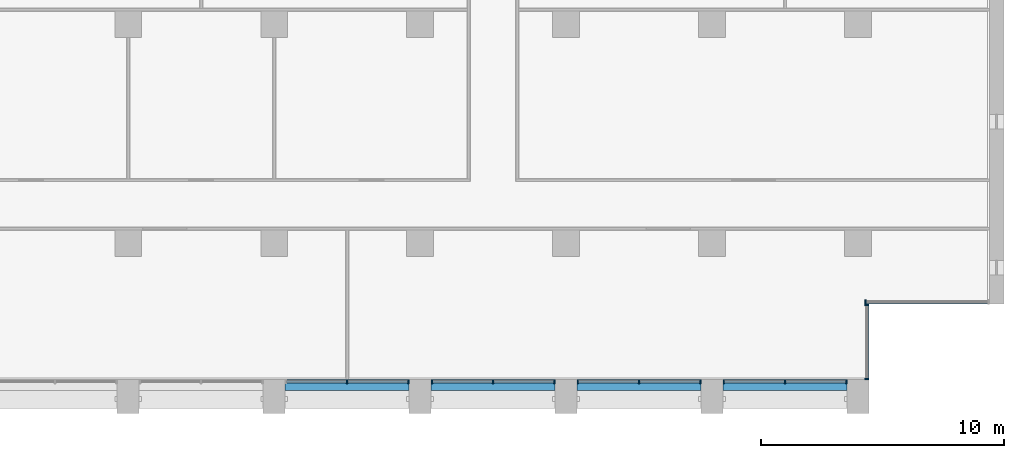
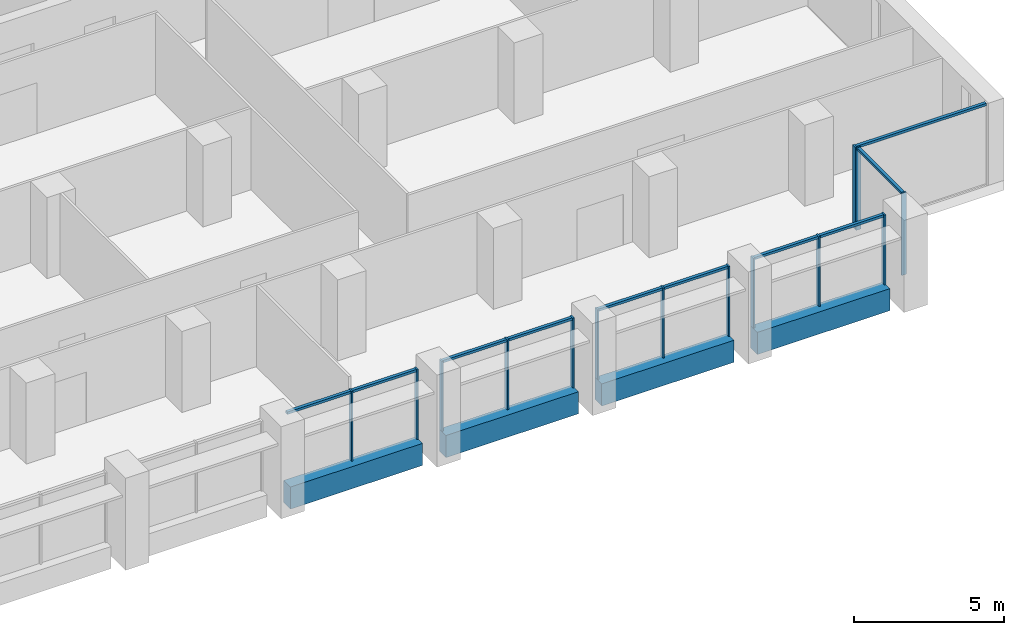
# One storey, part 3 of 17: 24 members, 4 beams, 6 elements without a shape of their own.
"""IFC4 building model written with IfcOpenShell, lengths in metres."""

from ifc_helpers import new_model, si_unit, direction, frame, origin, origin_2d, place, context, subcontext, project, spatial, rectangle, extrude, material, material_profile, profile_set, type_object, element, aggregate, save


model = new_model("IFC4")

# Units and contexts
model_context = context("Model", 3, precision=1e-05, world=origin(), true_north=direction((0.0, 1.0)))
body_context = subcontext(model_context, "Body", "Model", "MODEL_VIEW")
ifc_project = project(units=[si_unit("LENGTHUNIT", "METRE"), si_unit("AREAUNIT", "SQUARE_METRE"), si_unit("VOLUMEUNIT", "CUBIC_METRE"), si_unit("PLANEANGLEUNIT", "RADIAN"), si_unit("MASSUNIT", "GRAM", prefix="KILO")], contexts=[model_context])

# Site, building, storey
site_placement = place(None, origin())
site = spatial("IfcSite", under=ifc_project, at=site_placement, CompositionType="ELEMENT")
building_placement = place(site_placement, origin())
building = spatial("IfcBuilding", under=site, at=building_placement, Name="Calvaro Tower", CompositionType="ELEMENT")
storey_placement = place(building_placement, frame((0.0, 0.0, 189.25)))
storey = spatial("IfcBuildingStorey", under=building, at=storey_placement, Name="L47", CompositionType="ELEMENT", Elevation=189.25)

# Curtain wall, members
ifc_material_1 = material(Name="Anodised aluminium", Category="aluminium")
curtain_wall_type = type_object("IfcCurtainWallType", Name="Office curtain wall, upper zone", PredefinedType="NOTDEFINED", material=ifc_material_1)
curtain_wall_1_placement = place(storey_placement, origin())
curtain_wall_1 = element("IfcCurtainWall", 1, at=curtain_wall_1_placement, inside=storey, type_object=curtain_wall_type, Name="CW3 south curtain wall", PredefinedType="NOTDEFINED")
ifc_material_2 = material(Name="Anodised aluminium", Category="aluminium")
ifc_material_profile_1 = material_profile(ifc_material_2, rectangle(XDim=0.179931640625, YDim=0.06005859375, at=origin_2d()), Name="Mullion S3 60 x 180")
ifc_profile_set_1 = profile_set([ifc_material_profile_1], Name="Anodised aluminium")
member_type_1 = type_object("IfcMemberType", Name="Mullion S3 60 x 180", PredefinedType="MULLION", material=ifc_profile_set_1)
member_1_placement = place(storey_placement, frame((45.0, 4.31005859375, 0.0), z_axis=(0.0, 0.0, 1.0), x_axis=(0.0, 1.0, 0.0)))
member_1 = element("IfcMember", 2, at=member_1_placement, type_object=member_type_1, Name="CW3 mullion 2", PredefinedType="MULLION", context=body_context, shape_type="SweptSolid", body=[
    extrude(rectangle(XDim=0.179931640625, YDim=0.06005859375, at=origin_2d()), origin(), (0.0, 0.0, 1.0), 2.85009765625),
])
member_2_placement = place(storey_placement, frame((47.52001953125, 4.31005859375, 0.0), z_axis=(0.0, 0.0, 1.0), x_axis=(0.0, 1.0, 0.0)))
member_2 = element("IfcMember", 3, at=member_2_placement, type_object=member_type_1, Name="CW3 mullion 3", PredefinedType="MULLION", context=body_context, shape_type="SweptSolid", body=[
    extrude(rectangle(XDim=0.179931640625, YDim=0.06005859375, at=origin_2d()), origin(), (0.0, 0.0, 1.0), 2.85009765625),
])

curtain_wall_2_placement = place(storey_placement, origin())
curtain_wall_2 = element("IfcCurtainWall", 4, at=curtain_wall_2_placement, inside=storey, type_object=curtain_wall_type, Name="CW3 south curtain wall", PredefinedType="NOTDEFINED")
member_3_placement = place(storey_placement, frame((48.47998046875, 4.31005859375, 0.0), z_axis=(0.0, 0.0, 1.0), x_axis=(0.0, 1.0, 0.0)))
member_3 = element("IfcMember", 5, at=member_3_placement, type_object=member_type_1, Name="CW3 mullion 1", PredefinedType="MULLION", context=body_context, shape_type="SweptSolid", body=[
    extrude(rectangle(XDim=0.179931640625, YDim=0.06005859375, at=origin_2d()), origin(), (0.0, 0.0, 1.0), 2.85009765625),
])
member_4_placement = place(storey_placement, frame((51.0, 4.31005859375, 0.0), z_axis=(0.0, 0.0, 1.0), x_axis=(0.0, 1.0, 0.0)))
member_4 = element("IfcMember", 6, at=member_4_placement, type_object=member_type_1, Name="CW3 mullion 2", PredefinedType="MULLION", context=body_context, shape_type="SweptSolid", body=[
    extrude(rectangle(XDim=0.179931640625, YDim=0.06005859375, at=origin_2d()), origin(), (0.0, 0.0, 1.0), 2.85009765625),
])
member_5_placement = place(storey_placement, frame((53.52001953125, 4.31005859375, 0.0), z_axis=(0.0, 0.0, 1.0), x_axis=(0.0, 1.0, 0.0)))
member_5 = element("IfcMember", 7, at=member_5_placement, type_object=member_type_1, Name="CW3 mullion 3", PredefinedType="MULLION", context=body_context, shape_type="SweptSolid", body=[
    extrude(rectangle(XDim=0.179931640625, YDim=0.06005859375, at=origin_2d()), origin(), (0.0, 0.0, 1.0), 2.85009765625),
])

curtain_wall_3_placement = place(storey_placement, origin())
curtain_wall_3 = element("IfcCurtainWall", 8, at=curtain_wall_3_placement, inside=storey, type_object=curtain_wall_type, Name="CW3 south curtain wall", PredefinedType="NOTDEFINED")
member_6_placement = place(storey_placement, frame((54.47998046875, 4.31005859375, 0.0), z_axis=(0.0, 0.0, 1.0), x_axis=(0.0, 1.0, 0.0)))
member_6 = element("IfcMember", 9, at=member_6_placement, type_object=member_type_1, Name="CW3 mullion 1", PredefinedType="MULLION", context=body_context, shape_type="SweptSolid", body=[
    extrude(rectangle(XDim=0.179931640625, YDim=0.06005859375, at=origin_2d()), origin(), (0.0, 0.0, 1.0), 2.85009765625),
])
member_7_placement = place(storey_placement, frame((57.0, 4.31005859375, 0.0), z_axis=(0.0, 0.0, 1.0), x_axis=(0.0, 1.0, 0.0)))
member_7 = element("IfcMember", 10, at=member_7_placement, type_object=member_type_1, Name="CW3 mullion 2", PredefinedType="MULLION", context=body_context, shape_type="SweptSolid", body=[
    extrude(rectangle(XDim=0.179931640625, YDim=0.06005859375, at=origin_2d()), origin(), (0.0, 0.0, 1.0), 2.85009765625),
])
member_8_placement = place(storey_placement, frame((59.52001953125, 4.31005859375, 0.0), z_axis=(0.0, 0.0, 1.0), x_axis=(0.0, 1.0, 0.0)))
member_8 = element("IfcMember", 11, at=member_8_placement, type_object=member_type_1, Name="CW3 mullion 3", PredefinedType="MULLION", context=body_context, shape_type="SweptSolid", body=[
    extrude(rectangle(XDim=0.179931640625, YDim=0.06005859375, at=origin_2d()), origin(), (0.0, 0.0, 1.0), 2.85009765625),
])

curtain_wall_4_placement = place(storey_placement, origin())
curtain_wall_4 = element("IfcCurtainWall", 12, at=curtain_wall_4_placement, inside=storey, type_object=curtain_wall_type, Name="CW3 south curtain wall", PredefinedType="NOTDEFINED")
member_9_placement = place(storey_placement, frame((60.47998046875, 4.31005859375, 0.0), z_axis=(0.0, 0.0, 1.0), x_axis=(0.0, 1.0, 0.0)))
member_9 = element("IfcMember", 13, at=member_9_placement, type_object=member_type_1, Name="CW3 mullion 1", PredefinedType="MULLION", context=body_context, shape_type="SweptSolid", body=[
    extrude(rectangle(XDim=0.179931640625, YDim=0.06005859375, at=origin_2d()), origin(), (0.0, 0.0, 1.0), 2.85009765625),
])
member_10_placement = place(storey_placement, frame((63.0, 4.31005859375, 0.0), z_axis=(0.0, 0.0, 1.0), x_axis=(0.0, 1.0, 0.0)))
member_10 = element("IfcMember", 14, at=member_10_placement, type_object=member_type_1, Name="CW3 mullion 2", PredefinedType="MULLION", context=body_context, shape_type="SweptSolid", body=[
    extrude(rectangle(XDim=0.179931640625, YDim=0.06005859375, at=origin_2d()), origin(), (0.0, 0.0, 1.0), 2.85009765625),
])
member_11_placement = place(storey_placement, frame((65.52001953125, 4.31005859375, 0.0), z_axis=(0.0, 0.0, 1.0), x_axis=(0.0, 1.0, 0.0)))
member_11 = element("IfcMember", 15, at=member_11_placement, type_object=member_type_1, Name="CW3 mullion 3", PredefinedType="MULLION", context=body_context, shape_type="SweptSolid", body=[
    extrude(rectangle(XDim=0.179931640625, YDim=0.06005859375, at=origin_2d()), origin(), (0.0, 0.0, 1.0), 2.85009765625),
])

curtain_wall_5_placement = place(storey_placement, origin())
curtain_wall_5 = element("IfcCurtainWall", 16, at=curtain_wall_5_placement, inside=storey, type_object=curtain_wall_type, Name="CW3 corner curtain wall", PredefinedType="NOTDEFINED")
member_12_placement = place(storey_placement, frame((66.360107421875, 4.429931640625, 0.0), z_axis=(0.0, 0.0, 1.0), x_axis=(-1.0, 0.0, 0.0)))
member_12 = element("IfcMember", 17, at=member_12_placement, type_object=member_type_1, Name="CW3 mullion 1", PredefinedType="MULLION", context=body_context, shape_type="SweptSolid", body=[
    extrude(rectangle(XDim=0.179931640625, YDim=0.06005859375, at=origin_2d()), origin(), (0.0, 0.0, 1.0), 3.35009765625),
])
member_13_placement = place(storey_placement, frame((66.360107421875, 7.469970703125, 0.0), z_axis=(0.0, 0.0, 1.0), x_axis=(-1.0, 0.0, 0.0)))
member_13 = element("IfcMember", 18, at=member_13_placement, type_object=member_type_1, Name="CW3 mullion 2", PredefinedType="MULLION", context=body_context, shape_type="SweptSolid", body=[
    extrude(rectangle(XDim=0.179931640625, YDim=0.06005859375, at=origin_2d()), origin(), (0.0, 0.0, 1.0), 3.35009765625),
])

# Curtain wall, member
curtain_wall_6_placement = place(storey_placement, origin())
curtain_wall_6 = element("IfcCurtainWall", 19, at=curtain_wall_6_placement, inside=storey, type_object=curtain_wall_type, Name="CW3 corner curtain wall", PredefinedType="NOTDEFINED")
member_14_placement = place(storey_placement, frame((66.300048828125, 7.590087890625, 0.0), z_axis=(0.0, 0.0, 1.0), x_axis=(0.0, 1.0, 0.0)))
member_14 = element("IfcMember", 20, at=member_14_placement, type_object=member_type_1, Name="CW3 mullion 1", PredefinedType="MULLION", context=body_context, shape_type="SweptSolid", body=[
    extrude(rectangle(XDim=0.179931640625, YDim=0.06005859375, at=origin_2d()), origin(), (0.0, 0.0, 1.0), 3.35009765625),
])

# Beams
ifc_material_3 = material(Name="Concrete C50/60 precast", Category="concrete")
ifc_material_profile_2 = material_profile(ifc_material_3, rectangle(XDim=0.449951171875, YDim=0.89990234375, at=origin_2d()), Name="RC 450x900")
ifc_profile_set_2 = profile_set([ifc_material_profile_2], Name="Concrete C50/60 precast")
beam_type = type_object("IfcBeamType", Name="Spandrel beam 450x900 C50/60", PredefinedType="SPANDREL", material=ifc_profile_set_2)
for number, where, z_axis, x_axis, name in (
    (21, (42.449951171875, 4.175048828125, -0.449951171875), (1.0, 0.0, 0.0), (0.0, 1.0, 0.0), "Spandrel beam"),
    (22, (48.449951171875, 4.175048828125, -0.449951171875), (1.0, 0.0, 0.0), (0.0, 1.0, 0.0), "Spandrel beam"),
    (23, (54.449951171875, 4.175048828125, -0.449951171875), (1.0, 0.0, 0.0), (0.0, 1.0, 0.0), "Spandrel beam"),
    (24, (60.449951171875, 4.175048828125, -0.449951171875), (1.0, 0.0, 0.0), (0.0, 1.0, 0.0), "Spandrel beam"),
):
    element("IfcBeam", number, at=place(storey_placement, frame(where, z_axis=z_axis, x_axis=x_axis)), inside=storey, type_object=beam_type, Name=name, PredefinedType="SPANDREL", context=body_context, shape_type="SweptSolid", body=[
        extrude(rectangle(XDim=0.449951171875, YDim=0.89990234375, at=origin_2d()), origin(), (0.0, 0.0, 1.0), 5.10009765625),
    ])

# Member
ifc_material_4 = material(Name="Anodised aluminium", Category="aluminium")
ifc_material_profile_3 = material_profile(ifc_material_4, rectangle(XDim=0.1201171875, YDim=0.10009765625, at=origin_2d()), Name="Transom S3 100 x 120")
ifc_profile_set_3 = profile_set([ifc_material_profile_3], Name="Anodised aluminium")
member_type_2 = type_object("IfcMemberType", Name="Transom S3 100 x 120", PredefinedType="USERDEFINED", material=ifc_profile_set_3)
member_15_placement = place(storey_placement, frame((42.510009765625, 4.31005859375, 2.800048828125), z_axis=(1.0, 0.0, 0.0), x_axis=(0.0, 1.0, 0.0)))
member_15 = element("IfcMember", 25, at=member_15_placement, type_object=member_type_2, Name="CW3 transom 1.1", ObjectType="TRANSOM", PredefinedType="USERDEFINED", context=body_context, shape_type="SweptSolid", body=[
    extrude(rectangle(XDim=0.1201171875, YDim=0.10009765625, at=origin_2d()), origin(), (0.0, 0.0, 1.0), 2.4599609375),
])

member_16_placement = place(storey_placement, frame((45.030029296875, 4.31005859375, 2.800048828125), z_axis=(1.0, 0.0, 0.0), x_axis=(0.0, 1.0, 0.0)))
member_16 = element("IfcMember", 26, at=member_16_placement, type_object=member_type_2, Name="CW3 transom 2.1", ObjectType="TRANSOM", PredefinedType="USERDEFINED", context=body_context, shape_type="SweptSolid", body=[
    extrude(rectangle(XDim=0.1201171875, YDim=0.10009765625, at=origin_2d()), origin(), (0.0, 0.0, 1.0), 2.4599609375),
])

aggregate(curtain_wall_1, [member_1, member_2, member_15, member_16])

member_17_placement = place(storey_placement, frame((48.510009765625, 4.31005859375, 2.800048828125), z_axis=(1.0, 0.0, 0.0), x_axis=(0.0, 1.0, 0.0)))
member_17 = element("IfcMember", 27, at=member_17_placement, type_object=member_type_2, Name="CW3 transom 1.1", ObjectType="TRANSOM", PredefinedType="USERDEFINED", context=body_context, shape_type="SweptSolid", body=[
    extrude(rectangle(XDim=0.1201171875, YDim=0.10009765625, at=origin_2d()), origin(), (0.0, 0.0, 1.0), 2.4599609375),
])

member_18_placement = place(storey_placement, frame((51.030029296875, 4.31005859375, 2.800048828125), z_axis=(1.0, 0.0, 0.0), x_axis=(0.0, 1.0, 0.0)))
member_18 = element("IfcMember", 28, at=member_18_placement, type_object=member_type_2, Name="CW3 transom 2.1", ObjectType="TRANSOM", PredefinedType="USERDEFINED", context=body_context, shape_type="SweptSolid", body=[
    extrude(rectangle(XDim=0.1201171875, YDim=0.10009765625, at=origin_2d()), origin(), (0.0, 0.0, 1.0), 2.4599609375),
])

aggregate(curtain_wall_2, [member_3, member_4, member_5, member_17, member_18])

member_19_placement = place(storey_placement, frame((54.510009765625, 4.31005859375, 2.800048828125), z_axis=(1.0, 0.0, 0.0), x_axis=(0.0, 1.0, 0.0)))
member_19 = element("IfcMember", 29, at=member_19_placement, type_object=member_type_2, Name="CW3 transom 1.1", ObjectType="TRANSOM", PredefinedType="USERDEFINED", context=body_context, shape_type="SweptSolid", body=[
    extrude(rectangle(XDim=0.1201171875, YDim=0.10009765625, at=origin_2d()), origin(), (0.0, 0.0, 1.0), 2.4599609375),
])

member_20_placement = place(storey_placement, frame((57.030029296875, 4.31005859375, 2.800048828125), z_axis=(1.0, 0.0, 0.0), x_axis=(0.0, 1.0, 0.0)))
member_20 = element("IfcMember", 30, at=member_20_placement, type_object=member_type_2, Name="CW3 transom 2.1", ObjectType="TRANSOM", PredefinedType="USERDEFINED", context=body_context, shape_type="SweptSolid", body=[
    extrude(rectangle(XDim=0.1201171875, YDim=0.10009765625, at=origin_2d()), origin(), (0.0, 0.0, 1.0), 2.4599609375),
])

aggregate(curtain_wall_3, [member_6, member_7, member_8, member_19, member_20])

member_21_placement = place(storey_placement, frame((60.510009765625, 4.31005859375, 2.800048828125), z_axis=(1.0, 0.0, 0.0), x_axis=(0.0, 1.0, 0.0)))
member_21 = element("IfcMember", 31, at=member_21_placement, type_object=member_type_2, Name="CW3 transom 1.1", ObjectType="TRANSOM", PredefinedType="USERDEFINED", context=body_context, shape_type="SweptSolid", body=[
    extrude(rectangle(XDim=0.1201171875, YDim=0.10009765625, at=origin_2d()), origin(), (0.0, 0.0, 1.0), 2.4599609375),
])

member_22_placement = place(storey_placement, frame((63.030029296875, 4.31005859375, 2.800048828125), z_axis=(1.0, 0.0, 0.0), x_axis=(0.0, 1.0, 0.0)))
member_22 = element("IfcMember", 32, at=member_22_placement, type_object=member_type_2, Name="CW3 transom 2.1", ObjectType="TRANSOM", PredefinedType="USERDEFINED", context=body_context, shape_type="SweptSolid", body=[
    extrude(rectangle(XDim=0.1201171875, YDim=0.10009765625, at=origin_2d()), origin(), (0.0, 0.0, 1.0), 2.4599609375),
])

aggregate(curtain_wall_4, [member_9, member_10, member_11, member_21, member_22])

member_23_placement = place(storey_placement, frame((66.360107421875, 4.4599609375, 3.300048828125), z_axis=(0.0, 1.0, 0.0), x_axis=(-1.0, 0.0, 0.0)))
member_23 = element("IfcMember", 33, at=member_23_placement, type_object=member_type_2, Name="CW3 transom 1.1", ObjectType="TRANSOM", PredefinedType="USERDEFINED", context=body_context, shape_type="SweptSolid", body=[
    extrude(rectangle(XDim=0.1201171875, YDim=0.10009765625, at=origin_2d()), origin(), (0.0, 0.0, 1.0), 2.97998046875),
])

aggregate(curtain_wall_5, [member_12, member_13, member_23])

member_24_placement = place(storey_placement, frame((66.330078125, 7.590087890625, 3.300048828125), z_axis=(1.0, 0.0, 0.0), x_axis=(0.0, 1.0, 0.0)))
member_24 = element("IfcMember", 34, at=member_24_placement, type_object=member_type_2, Name="CW3 transom 1.1", ObjectType="TRANSOM", PredefinedType="USERDEFINED", context=body_context, shape_type="SweptSolid", body=[
    extrude(rectangle(XDim=0.1201171875, YDim=0.10009765625, at=origin_2d()), origin(), (0.0, 0.0, 1.0), 5.010009765625),
])

aggregate(curtain_wall_6, [member_14, member_24])

save(model, "model.ifc")
